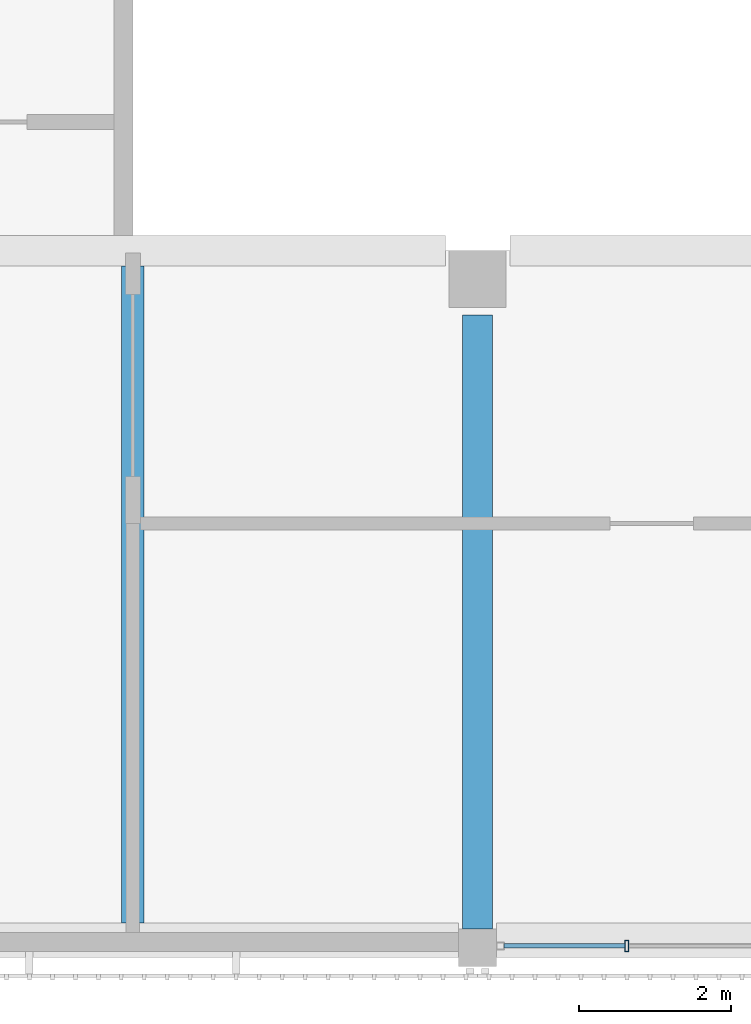
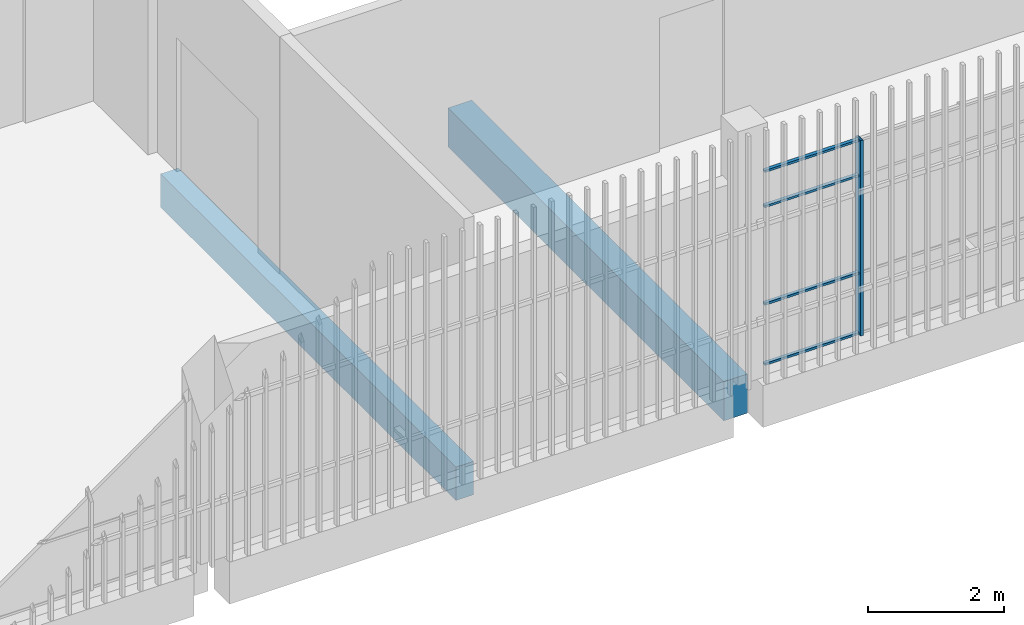
# One storey, part 10 of 124: 5 members, 2 beams, 1 element without a shape of its own.
"""IFC4 building model written with IfcOpenShell, lengths in metres."""

from ifc_helpers import new_model, si_unit, direction, frame, origin, origin_2d, place, context, subcontext, project, spatial, rectangle, hollow_rectangle, extrude, material, layer, layer_set, material_profile, profile_set, type_object, element, aggregate, save


model = new_model("IFC4")

# Units and contexts
model_context = context("Model", 3, precision=1e-05, world=origin(), true_north=direction((0.0, 1.0)))
body_context = subcontext(model_context, "Body", "Model", "MODEL_VIEW")
ifc_project = project(units=[si_unit("LENGTHUNIT", "METRE"), si_unit("AREAUNIT", "SQUARE_METRE"), si_unit("VOLUMEUNIT", "CUBIC_METRE"), si_unit("PLANEANGLEUNIT", "RADIAN"), si_unit("MASSUNIT", "GRAM", prefix="KILO")], contexts=[model_context])

# Site, building, storey
site_placement = place(None, origin())
site = spatial("IfcSite", under=ifc_project, at=site_placement, CompositionType="ELEMENT")
building_placement = place(site_placement, origin())
building = spatial("IfcBuilding", under=site, at=building_placement, Name="Shirokan Park Arena", CompositionType="ELEMENT")
storey_placement = place(building_placement, frame((0.0, 0.0, 20.02001953125)))
storey = spatial("IfcBuildingStorey", under=building, at=storey_placement, Name="L04", CompositionType="ELEMENT", Elevation=20.02001953125)

# Curtain wall, member
ifc_material_1 = material(Name="Steel and glass curtain wall", Category="steel")
ifc_layer = layer(ifc_material_1, 0.14990234375)
ifc_layer_set = layer_set([ifc_layer], Name="Steel and glass curtain wall 150 mm")
curtain_wall_type = type_object("IfcCurtainWallType", Name="Curtain wall exposed bay 150", PredefinedType="NOTDEFINED", material=ifc_layer_set)
curtain_wall_placement = place(storey_placement, origin())
curtain_wall = element("IfcCurtainWall", 1, at=curtain_wall_placement, inside=storey, type_object=curtain_wall_type, Name="Curtain wall south bay 6 L04", PredefinedType="NOTDEFINED")
ifc_material_2 = material(Name="Steel S355", Category="steel")
ifc_material_profile_1 = material_profile(ifc_material_2, hollow_rectangle(XDim=0.14990234375, YDim=0.050048828125, WallThickness=0.006103515625, at=origin_2d()), Name="RHS 150x50x6")
ifc_profile_set_1 = profile_set([ifc_material_profile_1], Name="Steel S355")
member_type_1 = type_object("IfcMemberType", Name="Mullion RHS 150x50x6", PredefinedType="MULLION", material=ifc_profile_set_1)
member_1_placement = place(storey_placement, frame((47.469970703125, -0.074951171875, 0.0), z_axis=(0.0, 0.0, 1.0), x_axis=(0.0, 1.0, 0.0)))
member_1 = element("IfcMember", 2, at=member_1_placement, type_object=member_type_1, Name="CW1 mullion 2", PredefinedType="MULLION", context=body_context, shape_type="SweptSolid", body=[
    extrude(hollow_rectangle(XDim=0.14990234375, YDim=0.050048828125, WallThickness=0.006103515625, at=origin_2d()), origin(), (0.0, 0.0, 1.0), 3.5),
])

# Beams
ifc_material_3 = material(Name="Concrete C35", Category="concrete")
ifc_material_profile_2 = material_profile(ifc_material_3, rectangle(XDim=0.39990234375, YDim=0.699951171875, at=origin_2d()), Name="400x700")
ifc_profile_set_2 = profile_set([ifc_material_profile_2], Name="Concrete C35")
beam_type_1 = type_object("IfcBeamType", Name="RC girder 400x700", PredefinedType="BEAM", material=ifc_profile_set_2)
beam_1_placement = place(storey_placement, frame((45.5, 0.150146484375, -0.60009765625), z_axis=(0.0, 1.0, 0.0), x_axis=(-1.0, 0.0, 0.0)))
element("IfcBeam", 3, at=beam_1_placement, inside=storey, type_object=beam_type_1, Name="Girder 6A-6B L04", PredefinedType="BEAM", context=body_context, shape_type="SweptSolid", body=[
    extrude(rectangle(XDim=0.39990234375, YDim=0.699951171875, at=origin_2d()), origin(), (0.0, 0.0, 1.0), 8.099853515625),
])
ifc_material_profile_3 = material_profile(ifc_material_3, rectangle(XDim=0.300048828125, YDim=0.60009765625, at=origin_2d()), Name="300x600")
ifc_profile_set_3 = profile_set([ifc_material_profile_3], Name="Concrete C35")
beam_type_2 = type_object("IfcBeamType", Name="RC joist 300x600", PredefinedType="JOIST", material=ifc_profile_set_3)
beam_2_placement = place(storey_placement, frame((40.949951171875, 0.22509765625, -0.550048828125), z_axis=(0.0, 1.0, 0.0), x_axis=(-1.0, 0.0, 0.0)))
element("IfcBeam", 4, at=beam_2_placement, inside=storey, type_object=beam_type_2, Name="Joist 6A L04", PredefinedType="JOIST", context=body_context, shape_type="SweptSolid", body=[
    extrude(rectangle(XDim=0.300048828125, YDim=0.60009765625, at=origin_2d()), origin(), (0.0, 0.0, 1.0), 8.6748046875),
])

# Member
ifc_material_profile_4 = material_profile(ifc_material_2, hollow_rectangle(XDim=0.06005859375, YDim=0.0400390625, WallThickness=0.00390625, at=origin_2d()), Name="RHS 60x40x4")
ifc_profile_set_4 = profile_set([ifc_material_profile_4], Name="Steel S355")
member_type_2 = type_object("IfcMemberType", Name="Transom RHS 60x40x4", PredefinedType="MULLION", material=ifc_profile_set_4)
member_2_placement = place(storey_placement, frame((45.85009765625, -0.074951171875, 0.02001953125), z_axis=(1.0, 0.0, 0.0), x_axis=(0.0, 1.0, 0.0)))
member_2 = element("IfcMember", 5, at=member_2_placement, type_object=member_type_2, Name="CW1 transom 1.1", PredefinedType="MULLION", context=body_context, shape_type="SweptSolid", body=[
    extrude(hollow_rectangle(XDim=0.06005859375, YDim=0.0400390625, WallThickness=0.00390625, at=origin_2d()), origin(), (0.0, 0.0, 1.0), 1.594970703125),
])

member_3_placement = place(storey_placement, frame((45.85009765625, -0.074951171875, 1.10009765625), z_axis=(1.0, 0.0, 0.0), x_axis=(0.0, 1.0, 0.0)))
member_3 = element("IfcMember", 6, at=member_3_placement, type_object=member_type_2, Name="CW1 transom 1.2", PredefinedType="MULLION", context=body_context, shape_type="SweptSolid", body=[
    extrude(hollow_rectangle(XDim=0.06005859375, YDim=0.0400390625, WallThickness=0.00390625, at=origin_2d()), origin(), (0.0, 0.0, 1.0), 1.594970703125),
])

member_4_placement = place(storey_placement, frame((45.85009765625, -0.074951171875, 2.85009765625), z_axis=(1.0, 0.0, 0.0), x_axis=(0.0, 1.0, 0.0)))
member_4 = element("IfcMember", 7, at=member_4_placement, type_object=member_type_2, Name="CW1 transom 1.3", PredefinedType="MULLION", context=body_context, shape_type="SweptSolid", body=[
    extrude(hollow_rectangle(XDim=0.06005859375, YDim=0.0400390625, WallThickness=0.00390625, at=origin_2d()), origin(), (0.0, 0.0, 1.0), 1.594970703125),
])

member_5_placement = place(storey_placement, frame((45.85009765625, -0.074951171875, 3.47998046875), z_axis=(1.0, 0.0, 0.0), x_axis=(0.0, 1.0, 0.0)))
member_5 = element("IfcMember", 8, at=member_5_placement, type_object=member_type_2, Name="CW1 transom 1.4", PredefinedType="MULLION", context=body_context, shape_type="SweptSolid", body=[
    extrude(hollow_rectangle(XDim=0.06005859375, YDim=0.0400390625, WallThickness=0.00390625, at=origin_2d()), origin(), (0.0, 0.0, 1.0), 1.594970703125),
])

aggregate(curtain_wall, [member_1, member_2, member_3, member_4, member_5])

save(model, "model.ifc")
